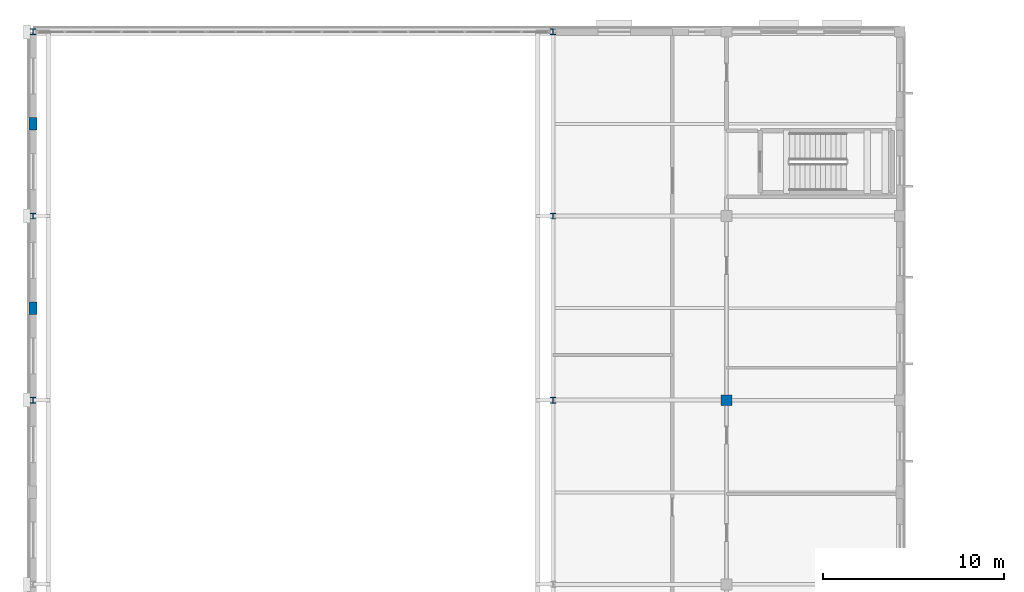
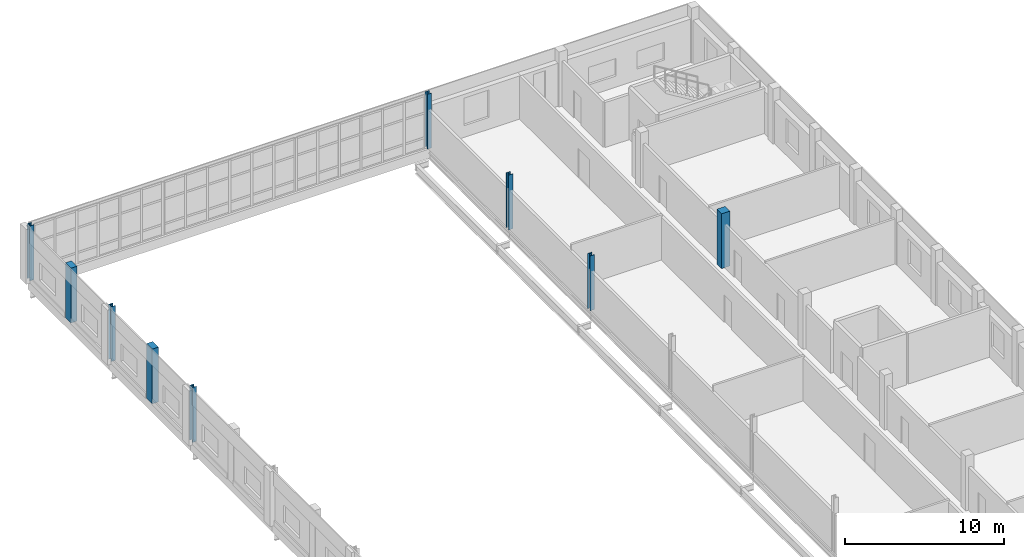
# One storey, part 8 of 170: 9 columns.
"""IFC4 building model written with IfcOpenShell, lengths in metres."""

from ifc_helpers import new_model, si_unit, direction, frame, origin, origin_2d, place, context, subcontext, project, spatial, rectangle, i_section, extrude, material, material_profile, profile_set, type_object, element, save


model = new_model("IFC4")

# Units and contexts
model_context = context("Model", 3, precision=1e-05, world=origin(), true_north=direction((0.0, 1.0)))
body_context = subcontext(model_context, "Body", "Model", "MODEL_VIEW")
ifc_project = project(units=[si_unit("LENGTHUNIT", "METRE"), si_unit("AREAUNIT", "SQUARE_METRE"), si_unit("VOLUMEUNIT", "CUBIC_METRE"), si_unit("PLANEANGLEUNIT", "RADIAN"), si_unit("MASSUNIT", "GRAM", prefix="KILO")], contexts=[model_context])

# Site, building, storey
site_placement = place(None, origin())
site = spatial("IfcSite", under=ifc_project, at=site_placement, CompositionType="ELEMENT")
building_placement = place(site_placement, origin())
building = spatial("IfcBuilding", under=site, at=building_placement, Name="Vondelvale Polytechnic", CompositionType="ELEMENT")
storey_placement = place(building_placement, frame((0.0, 0.0, 5.39990234375)))
storey = spatial("IfcBuildingStorey", under=building, at=storey_placement, Name="L01", CompositionType="ELEMENT", Elevation=5.39990234375)

# Columns
ifc_material_1 = material(Name="Concrete N50 (f'c = 50 MPa)", Category="concrete")
ifc_material_profile_1 = material_profile(ifc_material_1, rectangle(XDim=0.60009765625, YDim=0.60009765625, at=origin_2d()), Name="RC-COL-600x600")
ifc_profile_set_1 = profile_set([ifc_material_profile_1], Name="Concrete N50 (f'c = 50 MPa)")
column_type_1 = type_object("IfcColumnType", Name="COL-RC600", PredefinedType="COLUMN", material=ifc_profile_set_1)
column_placement = place(storey_placement, frame((38.39990234375, 102.0, 0.0), z_axis=(0.0, 0.0, 1.0), x_axis=(1.0, 0.0, 0.0)))
element("IfcColumn", 1, at=column_placement, inside=storey, type_object=column_type_1, Name="L01 workshop column (38.4,102.0)", PredefinedType="COLUMN", context=body_context, shape_type="SweptSolid", body=[
    extrude(rectangle(XDim=0.60009765625, YDim=0.60009765625, at=origin_2d()), origin(), (0.0, 0.0, 1.0), 4.2001953125),
])
ifc_material_2 = material(Name="Steel 300PLUS (fy = 300 MPa)", Category="steel")
ifc_material_profile_2 = material_profile(ifc_material_2, i_section(OverallWidth=0.31103515625, OverallDepth=0.326904296875, WebThickness=0.015625, FlangeThickness=0.02490234375, FilletRadius=0.0166015625, at=origin_2d()), Name="310UC158")
ifc_profile_set_2 = profile_set([ifc_material_profile_2], Name="Steel 300PLUS (fy = 300 MPa)")
column_type_2 = type_object("IfcColumnType", Name="COL-UC310H", PredefinedType="COLUMN", material=ifc_profile_set_2)
for number, where, z_axis, x_axis, name in (
    (2, (0.0, 102.0, 0.0), (0.0, 0.0, 1.0), (1.0, 0.0, 0.0), "L01 workshop column (0.0,102.0)"),
    (3, (28.800048828125, 102.0, 0.0), (0.0, 0.0, 1.0), (1.0, 0.0, 0.0), "L01 workshop column (28.8,102.0)"),
    (4, (0.0, 112.199951171875, 0.0), (0.0, 0.0, 1.0), (1.0, 0.0, 0.0), "L01 workshop column (0.0,112.2)"),
    (5, (28.800048828125, 112.199951171875, 0.0), (0.0, 0.0, 1.0), (1.0, 0.0, 0.0), "L01 workshop column (28.8,112.2)"),
    (6, (0.0, 122.39990234375, 0.0), (0.0, 0.0, 1.0), (1.0, 0.0, 0.0), "L01 workshop column (0.0,122.4)"),
    (7, (28.800048828125, 122.39990234375, 0.0), (0.0, 0.0, 1.0), (1.0, 0.0, 0.0), "L01 workshop column (28.8,122.4)"),
):
    element("IfcColumn", number, at=place(storey_placement, frame(where, z_axis=z_axis, x_axis=x_axis)), inside=storey, type_object=column_type_2, Name=name, PredefinedType="COLUMN", context=body_context, shape_type="SweptSolid", body=[
        extrude(i_section(OverallWidth=0.31103515625, OverallDepth=0.326904296875, WebThickness=0.015625, FlangeThickness=0.02490234375, FilletRadius=0.0166015625, at=origin_2d()), origin(), (0.0, 0.0, 1.0), 4.2001953125),
    ])
ifc_material_profile_3 = material_profile(ifc_material_1, rectangle(XDim=0.449951171875, YDim=0.699951171875, at=origin_2d()), Name="RC-PIL-700x450")
ifc_profile_set_3 = profile_set([ifc_material_profile_3], Name="Concrete N50 (f'c = 50 MPa)")
column_type_3 = type_object("IfcColumnType", Name="PIL-RC700x450", PredefinedType="PILASTER", material=ifc_profile_set_3)
for number, where, z_axis, x_axis, name in (
    (8, (0.0, 107.10009765625, 0.0), (0.0, 0.0, 1.0), (1.0, 0.0, 0.0), "L01 West workshop brick pilaster 6"),
    (9, (0.0, 117.300048828125, 0.0), (0.0, 0.0, 1.0), (1.0, 0.0, 0.0), "L01 West workshop brick pilaster 7"),
):
    element("IfcColumn", number, at=place(storey_placement, frame(where, z_axis=z_axis, x_axis=x_axis)), inside=storey, type_object=column_type_3, Name=name, PredefinedType="PILASTER", context=body_context, shape_type="SweptSolid", body=[
        extrude(rectangle(XDim=0.449951171875, YDim=0.699951171875, at=origin_2d()), origin(), (0.0, 0.0, 1.0), 4.2001953125),
    ])

save(model, "model.ifc")
